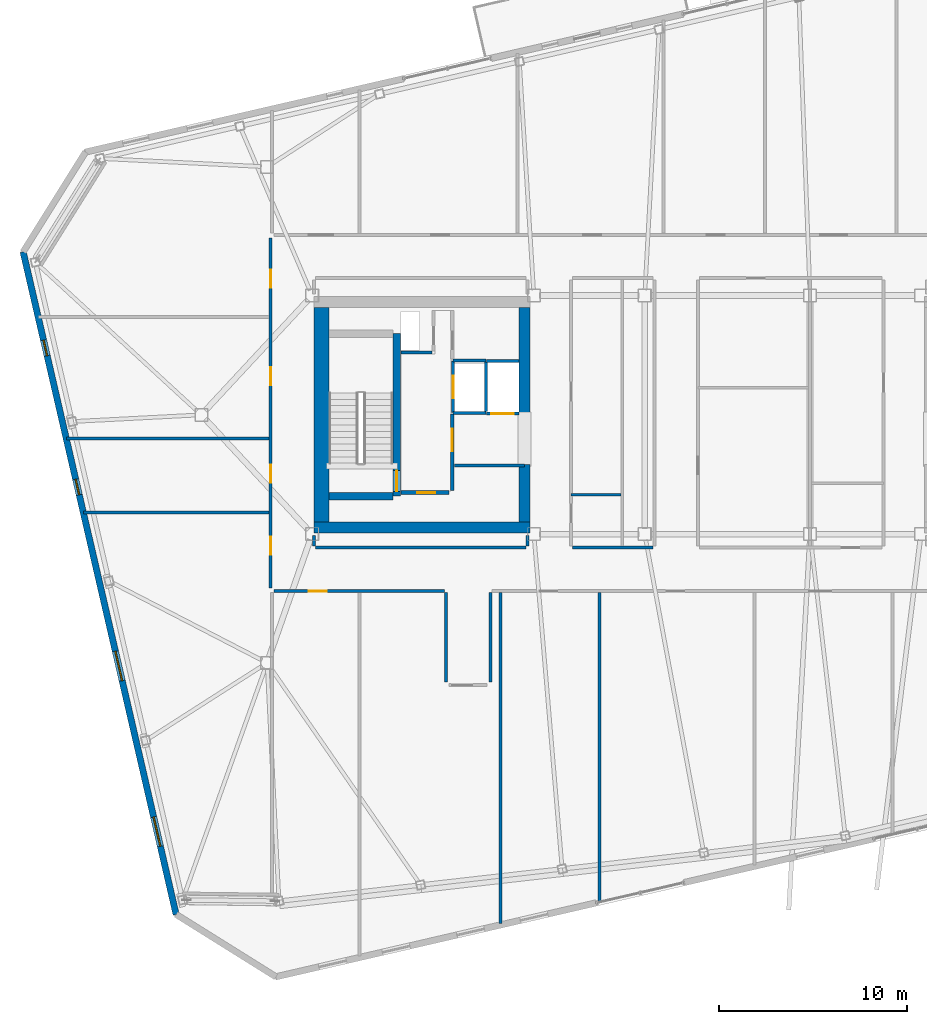
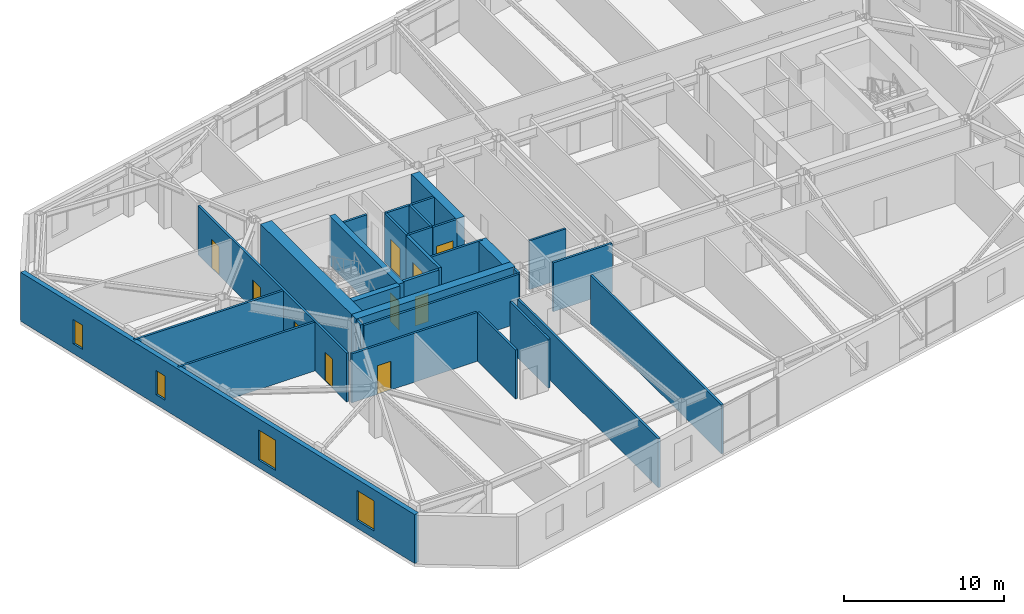
# One storey, part 16 of 24: 30 walls, 10 doors, 4 windows, 14 openings.
"""IFC4 building model written with IfcOpenShell, lengths in metres."""

from ifc_helpers import new_model, si_unit, direction, frame, frame_2d, origin, place, context, subcontext, project, spatial, rectangle, extrude, material, layer, layer_set, type_object, element, fill, save


model = new_model("IFC4")

# Units and contexts
model_context = context("Model", 3, precision=1e-05, world=origin(), true_north=direction((0.0, 1.0)))
body_context = subcontext(model_context, "Body", "Model", "MODEL_VIEW")
ifc_project = project(units=[si_unit("LENGTHUNIT", "METRE"), si_unit("AREAUNIT", "SQUARE_METRE"), si_unit("VOLUMEUNIT", "CUBIC_METRE"), si_unit("PLANEANGLEUNIT", "RADIAN"), si_unit("MASSUNIT", "GRAM", prefix="KILO")], contexts=[model_context])

# Site, building, storey
site_placement = place(None, origin())
site = spatial("IfcSite", under=ifc_project, at=site_placement, CompositionType="ELEMENT")
building_placement = place(site_placement, origin())
building = spatial("IfcBuilding", under=site, at=building_placement, Name="Tavrogorsk Clinical Tower", CompositionType="ELEMENT")
storey_placement = place(building_placement, frame((0.0, 0.0, 321.0)))
storey = spatial("IfcBuildingStorey", under=building, at=storey_placement, Name="L75", CompositionType="ELEMENT", Elevation=321.0)

# Wall, opening, door
ifc_material_1 = material(Name="Concrete B60", Category="concrete")
ifc_layer_1 = layer(ifc_material_1, 0.199951171875)
ifc_layer_set_1 = layer_set([ifc_layer_1], Name="Concrete B60")
wall_type_1 = type_object("IfcWallType", Name="CoreFireWall_200", PredefinedType="SOLIDWALL", material=ifc_layer_set_1)
wall_1_placement = place(storey_placement, frame((-17.3798828125, -4.139892578125, 0.0), z_axis=(0.0, 0.0, 1.0), x_axis=(1.0, 0.0, 0.0)))
wall_1 = element("IfcWall", 1, at=wall_1_placement, inside=storey, type_object=wall_type_1, Name="L75 Core West South Core Room Fire Wall", PredefinedType="SOLIDWALL", context=body_context, shape_type="SweptSolid", body=[
    extrude(rectangle(XDim=2.554931640625, YDim=0.199951171875, at=frame_2d((1.27734375, 0.0))), origin(), (0.0, 0.0, 1.0), 3.739990234375),
])
opening_1_placement = place(wall_1_placement, frame((0.8798828125, 0.0, 0.0)))
opening_1 = element("IfcOpeningElement", 2, at=opening_1_placement, cuts=wall_1, Name="Opening ID-02", PredefinedType="OPENING", context=body_context, shape_type="SweptSolid", body=[
    extrude(rectangle(XDim=0.949951171875, YDim=2.199951171875, at=frame_2d((0.47509765625, 1.10009765625))), frame((0.0, 0.10986328125, 0.0), z_axis=(0.0, -1.0, 0.0), x_axis=(1.0, 0.0, 0.0)), (0.0, 0.0, 1.0), 0.219970703125),
])
ifc_material_2 = material(Name="Laminated timber leaf on aluminium frame", Category="wood")
door_type_1 = type_object("IfcDoorType", Name="InteriorDoor_ID02_950", OperationType="NOTDEFINED", PredefinedType="DOOR", material=ifc_material_2)
door_1_placement = place(opening_1_placement, origin())
door_1 = element("IfcDoor", 3, at=door_1_placement, inside=storey, type_object=door_type_1, Name="L75 Core West South Core Room Door", OperationType="SINGLE_SWING_RIGHT", OverallHeight=2.199951171875, OverallWidth=0.949951171875, PredefinedType="DOOR", context=body_context, shape_type="SweptSolid", body=[
    extrude(rectangle(XDim=0.949951171875, YDim=2.199951171875, at=frame_2d((0.47509765625, 1.10009765625))), frame((0.0, 0.02490234375, 0.0), z_axis=(0.0, -1.0, 0.0), x_axis=(1.0, 0.0, 0.0)), (0.0, 0.0, 1.0), 0.050048828125),
])
fill(opening_1, door_1)

wall_2_placement = place(storey_placement, frame((-14.639892578125, -4.034912109375, 0.0), z_axis=(0.0, 0.0, 1.0), x_axis=(0.0, 1.0, 0.0)))
wall_2 = element("IfcWall", 4, at=wall_2_placement, inside=storey, type_object=wall_type_1, Name="L75 Core West Firefighting Lobby Fire Wall", PredefinedType="SOLIDWALL", context=body_context, shape_type="SweptSolid", body=[
    extrude(rectangle(XDim=4.074951171875, YDim=0.199951171875, at=frame_2d((2.03759765625, 0.0))), origin(), (0.0, 0.0, 1.0), 3.739990234375),
])
opening_2_placement = place(wall_2_placement, frame((2.090087890625, 0.0, 0.0)))
opening_2 = element("IfcOpeningElement", 5, at=opening_2_placement, cuts=wall_2, Name="Opening FD-01", PredefinedType="OPENING", context=body_context, shape_type="SweptSolid", body=[
    extrude(rectangle(XDim=1.199951171875, YDim=2.199951171875, at=frame_2d((0.60009765625, 1.10009765625))), frame((0.0, 0.10986328125, 0.0), z_axis=(0.0, -1.0, 0.0), x_axis=(1.0, 0.0, 0.0)), (0.0, 0.0, 1.0), 0.219970703125),
])
ifc_material_3 = material(Name="Galvanised steel fire-rated door assembly", Category="steel")
door_type_2 = type_object("IfcDoorType", Name="FireDoor_FD01_1200", OperationType="NOTDEFINED", PredefinedType="DOOR", material=ifc_material_3)
door_2_placement = place(opening_2_placement, origin())
door_2 = element("IfcDoor", 6, at=door_2_placement, inside=storey, type_object=door_type_2, Name="L75 Core West Firefighting Lobby Entry Door", OperationType="SINGLE_SWING_RIGHT", OverallHeight=2.199951171875, OverallWidth=1.199951171875, PredefinedType="DOOR", context=body_context, shape_type="SweptSolid", body=[
    extrude(rectangle(XDim=1.199951171875, YDim=2.199951171875, at=frame_2d((0.60009765625, 1.10009765625))), frame((0.0, 0.02490234375, 0.0), z_axis=(0.0, -1.0, 0.0), x_axis=(1.0, 0.0, 0.0)), (0.0, 0.0, 1.0), 0.050048828125),
])
fill(opening_2, door_2)

# Walls
ifc_material_4 = material(Name="Lightweight concrete blockwork B15", Category="masonry")
ifc_layer_2 = layer(ifc_material_4, 0.139892578125)
ifc_layer_set_2 = layer_set([ifc_layer_2], Name="Lightweight concrete blockwork B15")
wall_type_2 = type_object("IfcWallType", Name="PartitionWall_140", PredefinedType="PARTITIONING", material=ifc_layer_set_2)
wall_3_placement = place(storey_placement, frame((-8.31494140625, -4.25, 0.0), z_axis=(0.0, 0.0, 1.0), x_axis=(1.0, 0.0, 0.0)))
element("IfcWall", 7, at=wall_3_placement, inside=storey, type_object=wall_type_2, Name="L75 Central Spine Partition 4", PredefinedType="PARTITIONING", context=body_context, shape_type="SweptSolid", body=[
    extrude(rectangle(XDim=2.639892578125, YDim=0.139892578125, at=frame_2d((1.31982421875, 0.0))), origin(), (0.0, 0.0, 1.0), 3.739990234375),
])
ifc_material_5 = material(Name="Lightweight concrete blockwork B15", Category="masonry")
ifc_layer_3 = layer(ifc_material_5, 0.159912109375)
ifc_layer_set_3 = layer_set([ifc_layer_3], Name="Lightweight concrete blockwork B15")
wall_type_3 = type_object("IfcWallType", Name="PartitionWall_160", PredefinedType="PARTITIONING", material=ifc_layer_set_3)
wall_4_placement = place(storey_placement, frame((-14.534912109375, -2.699951171875, 0.0), z_axis=(0.0, 0.0, 1.0), x_axis=(1.0, 0.0, 0.0)))
element("IfcWall", 8, at=wall_4_placement, inside=storey, type_object=wall_type_3, Name="L75 Core West Freed Mid-Bank North Partition", PredefinedType="PARTITIONING", context=body_context, shape_type="SweptSolid", body=[
    extrude(rectangle(XDim=3.73486328125, YDim=0.159912109375, at=frame_2d((1.867431640625, 0.0))), origin(), (0.0, 0.0, 1.0), 3.739990234375),
])

# Wall, openings, doors
wall_5_placement = place(storey_placement, frame((-24.31005859375, -9.215087890625, 0.0), z_axis=(0.0, 0.0, 1.0), x_axis=(0.0, 1.0, 0.0)))
wall_5 = element("IfcWall", 9, at=wall_5_placement, inside=storey, type_object=wall_type_3, Name="L75 Corridor Partition 01", PredefinedType="PARTITIONING", context=body_context, shape_type="SweptSolid", body=[
    extrude(rectangle(XDim=18.630126953125, YDim=0.159912109375, at=frame_2d((9.31494140625, 0.0))), origin(), (0.0, 0.0, 1.0), 3.739990234375),
])
opening_3_placement = place(wall_5_placement, frame((1.76904296875, 0.0, 0.0)))
opening_3 = element("IfcOpeningElement", 10, at=opening_3_placement, cuts=wall_5, Name="Opening ID-02", PredefinedType="OPENING", context=body_context, shape_type="SweptSolid", body=[
    extrude(rectangle(XDim=0.949951171875, YDim=2.199951171875, at=frame_2d((0.47509765625, 1.10009765625))), frame((0.0, 0.08984375, 0.0), z_axis=(0.0, -1.0, 0.0), x_axis=(1.0, 0.0, 0.0)), (0.0, 0.0, 1.0), 0.179931640625),
])
opening_4_placement = place(wall_5_placement, frame((5.60009765625, 0.0, 0.0)))
opening_4 = element("IfcOpeningElement", 11, at=opening_4_placement, cuts=wall_5, Name="Opening ID-02", PredefinedType="OPENING", context=body_context, shape_type="SweptSolid", body=[
    extrude(rectangle(XDim=0.949951171875, YDim=2.199951171875, at=frame_2d((0.47509765625, 1.10009765625))), frame((0.0, 0.08984375, 0.0), z_axis=(0.0, -1.0, 0.0), x_axis=(1.0, 0.0, 0.0)), (0.0, 0.0, 1.0), 0.179931640625),
])
opening_5_placement = place(wall_5_placement, frame((10.800048828125, 0.0, 0.0)))
opening_5 = element("IfcOpeningElement", 12, at=opening_5_placement, cuts=wall_5, Name="Opening ID-02", PredefinedType="OPENING", context=body_context, shape_type="SweptSolid", body=[
    extrude(rectangle(XDim=0.949951171875, YDim=2.199951171875, at=frame_2d((0.47509765625, 1.10009765625))), frame((0.0, 0.08984375, 0.0), z_axis=(0.0, -1.0, 0.0), x_axis=(1.0, 0.0, 0.0)), (0.0, 0.0, 1.0), 0.179931640625),
])
opening_6_placement = place(wall_5_placement, frame((15.98095703125, 0.0, 0.0)))
opening_6 = element("IfcOpeningElement", 13, at=opening_6_placement, cuts=wall_5, Name="Opening ID-02", PredefinedType="OPENING", context=body_context, shape_type="SweptSolid", body=[
    extrude(rectangle(XDim=0.949951171875, YDim=2.199951171875, at=frame_2d((0.47509765625, 1.10009765625))), frame((0.0, 0.08984375, 0.0), z_axis=(0.0, -1.0, 0.0), x_axis=(1.0, 0.0, 0.0)), (0.0, 0.0, 1.0), 0.179931640625),
])
door_3_placement = place(opening_3_placement, origin())
door_3 = element("IfcDoor", 14, at=door_3_placement, inside=storey, type_object=door_type_1, Name="L75 W Solarium Day Room & Lounge 1 Door", OperationType="SINGLE_SWING_RIGHT", OverallHeight=2.199951171875, OverallWidth=0.949951171875, PredefinedType="DOOR", context=body_context, shape_type="SweptSolid", body=[
    extrude(rectangle(XDim=0.949951171875, YDim=2.199951171875, at=frame_2d((0.47509765625, 1.10009765625))), frame((0.0, 0.02490234375, 0.0), z_axis=(0.0, -1.0, 0.0), x_axis=(1.0, 0.0, 0.0)), (0.0, 0.0, 1.0), 0.050048828125),
])
fill(opening_3, door_3)
door_4_placement = place(opening_4_placement, origin())
door_4 = element("IfcDoor", 15, at=door_4_placement, inside=storey, type_object=door_type_1, Name="L75 W Rehabilitation Therapy Suite 2 Door", OperationType="SINGLE_SWING_LEFT", OverallHeight=2.199951171875, OverallWidth=0.949951171875, PredefinedType="DOOR", context=body_context, shape_type="SweptSolid", body=[
    extrude(rectangle(XDim=0.949951171875, YDim=2.199951171875, at=frame_2d((0.47509765625, 1.10009765625))), frame((0.0, 0.02490234375, 0.0), z_axis=(0.0, -1.0, 0.0), x_axis=(1.0, 0.0, 0.0)), (0.0, 0.0, 1.0), 0.050048828125),
])
fill(opening_4, door_4)
door_5_placement = place(opening_5_placement, origin())
door_5 = element("IfcDoor", 16, at=door_5_placement, inside=storey, type_object=door_type_1, Name="L75 W Sub-Acute Observation Suite 3 Door", OperationType="SINGLE_SWING_RIGHT", OverallHeight=2.199951171875, OverallWidth=0.949951171875, PredefinedType="DOOR", context=body_context, shape_type="SweptSolid", body=[
    extrude(rectangle(XDim=0.949951171875, YDim=2.199951171875, at=frame_2d((0.47509765625, 1.10009765625))), frame((0.0, 0.02490234375, 0.0), z_axis=(0.0, -1.0, 0.0), x_axis=(1.0, 0.0, 0.0)), (0.0, 0.0, 1.0), 0.050048828125),
])
fill(opening_5, door_5)
door_6_placement = place(opening_6_placement, origin())
door_6 = element("IfcDoor", 17, at=door_6_placement, inside=storey, type_object=door_type_1, Name="L75 W Family Consultation Lounge 4 Door", OperationType="SINGLE_SWING_LEFT", OverallHeight=2.199951171875, OverallWidth=0.949951171875, PredefinedType="DOOR", context=body_context, shape_type="SweptSolid", body=[
    extrude(rectangle(XDim=0.949951171875, YDim=2.199951171875, at=frame_2d((0.47509765625, 1.10009765625))), frame((0.0, 0.02490234375, 0.0), z_axis=(0.0, -1.0, 0.0), x_axis=(1.0, 0.0, 0.0)), (0.0, 0.0, 1.0), 0.050048828125),
])
fill(opening_6, door_6)

# Walls
for number, where, z_axis, x_axis, name in (
    (18, (-12.6201171875, -9.465087890625, 0.0), (0.0, 0.0, 1.0), (0.0, -1.0, 0.0), "L75 Corridor Partition 05"),
    (19, (-14.97998046875, -14.215087890625, 0.0), (0.0, 0.0, 1.0), (0.0, 1.0, 0.0), "L75 Corridor Partition 07"),
):
    element("IfcWall", number, at=place(storey_placement, frame(where, z_axis=z_axis, x_axis=x_axis)), inside=storey, type_object=wall_type_3, Name=name, PredefinedType="PARTITIONING", context=body_context, shape_type="SweptSolid", body=[
        extrude(rectangle(XDim=4.75, YDim=0.159912109375, at=frame_2d((2.375, 0.0))), origin(), (0.0, 0.0, 1.0), 3.739990234375),
    ])

# Wall, opening, door
wall_6_placement = place(storey_placement, frame((-15.06494140625, -9.3798828125, 0.0), z_axis=(0.0, 0.0, 1.0), x_axis=(-1.0, 0.0, 0.0)))
wall_6 = element("IfcWall", 20, at=wall_6_placement, inside=storey, type_object=wall_type_3, Name="L75 Corridor Partition 08", PredefinedType="PARTITIONING", context=body_context, shape_type="SweptSolid", body=[
    extrude(rectangle(XDim=9.080078125, YDim=0.159912109375, at=frame_2d((4.5400390625, 0.0))), origin(), (0.0, 0.0, 1.0), 3.739990234375),
])
opening_7_placement = place(wall_6_placement, frame((6.255859375, 0.0, 0.0)))
opening_7 = element("IfcOpeningElement", 21, at=opening_7_placement, cuts=wall_6, Name="Opening ID-02", PredefinedType="OPENING", context=body_context, shape_type="SweptSolid", body=[
    extrude(rectangle(XDim=0.949951171875, YDim=2.199951171875, at=frame_2d((0.47509765625, 1.10009765625))), frame((0.0, 0.08984375, 0.0), z_axis=(0.0, -1.0, 0.0), x_axis=(1.0, 0.0, 0.0)), (0.0, 0.0, 1.0), 0.179931640625),
])
door_7_placement = place(opening_7_placement, origin())
door_7 = element("IfcDoor", 22, at=door_7_placement, inside=storey, type_object=door_type_1, Name="L75 South Clean Medication & Prep Room 01 Door", OperationType="SINGLE_SWING_LEFT", OverallHeight=2.199951171875, OverallWidth=0.949951171875, PredefinedType="DOOR", context=body_context, shape_type="SweptSolid", body=[
    extrude(rectangle(XDim=0.949951171875, YDim=2.199951171875, at=frame_2d((0.47509765625, 1.10009765625))), frame((0.0, 0.02490234375, 0.0), z_axis=(0.0, -1.0, 0.0), x_axis=(1.0, 0.0, 0.0)), (0.0, 0.0, 1.0), 0.050048828125),
])
fill(opening_7, door_7)

# Walls
wall_7_placement = place(storey_placement, frame((-8.235107421875, -7.070068359375, 0.0), z_axis=(0.0, 0.0, 1.0), x_axis=(1.0, 0.0, 0.0)))
element("IfcWall", 23, at=wall_7_placement, inside=storey, type_object=wall_type_3, Name="L75 Corridor Partition 22", PredefinedType="PARTITIONING", context=body_context, shape_type="SweptSolid", body=[
    extrude(rectangle(XDim=4.27001953125, YDim=0.159912109375, at=frame_2d((2.135009765625, 0.0))), origin(), (0.0, 0.0, 1.0), 3.739990234375),
])
for number, where, z_axis, x_axis, name in (
    (24, (-10.6298828125, -6.985107421875, 0.0), (0.0, 0.0, 1.0), (0.0, 1.0, 0.0), "L75 Corridor Partition 23"),
    (25, (-22.0, -6.419921875, 0.0), (0.0, 0.0, 1.0), (0.0, -1.0, 0.0), "L75 Corridor Partition 27"),
):
    element("IfcWall", number, at=place(storey_placement, frame(where, z_axis=z_axis, x_axis=x_axis)), inside=storey, type_object=wall_type_3, Name=name, PredefinedType="PARTITIONING", context=body_context, shape_type="SweptSolid", body=[
        extrude(rectangle(XDim=0.565185546875, YDim=0.159912109375, at=frame_2d((0.28271484375, 0.0))), origin(), (0.0, 0.0, 1.0), 3.739990234375),
    ])
wall_8_placement = place(storey_placement, frame((-21.9150390625, -7.070068359375, 0.0), z_axis=(0.0, 0.0, 1.0), x_axis=(1.0, 0.0, 0.0)))
element("IfcWall", 26, at=wall_8_placement, inside=storey, type_object=wall_type_3, Name="L75 Corridor Partition 28", PredefinedType="PARTITIONING", context=body_context, shape_type="SweptSolid", body=[
    extrude(rectangle(XDim=11.199951171875, YDim=0.159912109375, at=frame_2d((5.60009765625, 0.0))), origin(), (0.0, 0.0, 1.0), 3.739990234375),
])
wall_9_placement = place(storey_placement, frame((-6.800048828125, -25.86669921875, 0.0), z_axis=(0.0, 0.0, 1.0), x_axis=(0.0, 1.0, 0.0)))
element("IfcWall", 27, at=wall_9_placement, inside=storey, type_object=wall_type_3, Name="L75 South Room Partition 2", PredefinedType="PARTITIONING", context=body_context, shape_type="SweptSolid", body=[
    extrude(rectangle(XDim=16.401611328125, YDim=0.159912109375, at=frame_2d((8.20068359375, 0.0))), origin(), (0.0, 0.0, 1.0), 3.739990234375),
])
wall_10_placement = place(storey_placement, frame((-12.070068359375, -27.083251953125, 0.0), z_axis=(0.0, 0.0, 1.0), x_axis=(0.0, 1.0, 0.0)))
element("IfcWall", 28, at=wall_10_placement, inside=storey, type_object=wall_type_3, Name="L75 South Sub-Partition 2", PredefinedType="PARTITIONING", context=body_context, shape_type="SweptSolid", body=[
    extrude(rectangle(XDim=17.6181640625, YDim=0.159912109375, at=frame_2d((8.80908203125, 0.0))), origin(), (0.0, 0.0, 1.0), 3.739990234375),
])
wall_11_placement = place(storey_placement, frame((-34.26171875, -5.199951171875, 0.0), z_axis=(0.0, 0.0, 1.0), x_axis=(1.0, 0.0, 0.0)))
element("IfcWall", 29, at=wall_11_placement, inside=storey, type_object=wall_type_3, Name="L75 W Wing Divider 1", PredefinedType="PARTITIONING", context=body_context, shape_type="SweptSolid", body=[
    extrude(rectangle(XDim=9.86669921875, YDim=0.159912109375, at=frame_2d((4.933349609375, 0.0))), origin(), (0.0, 0.0, 1.0), 3.739990234375),
])
wall_12_placement = place(storey_placement, frame((-35.173583984375, -1.25, 0.0), z_axis=(0.0, 0.0, 1.0), x_axis=(1.0, 0.0, 0.0)))
element("IfcWall", 30, at=wall_12_placement, inside=storey, type_object=wall_type_3, Name="L75 W Wing Divider 2", PredefinedType="PARTITIONING", context=body_context, shape_type="SweptSolid", body=[
    extrude(rectangle(XDim=10.778564453125, YDim=0.159912109375, at=frame_2d((5.38916015625, 0.0))), origin(), (0.0, 0.0, 1.0), 3.739990234375),
])

# Wall, openings, windows
ifc_material_6 = material(Name="Precast concrete B45 with limestone cladding", Category="masonry")
ifc_layer_4 = layer(ifc_material_6, 0.340087890625)
ifc_layer_set_4 = layer_set([ifc_layer_4], Name="Precast concrete B45 with limestone cladding")
wall_type_4 = type_object("IfcWallType", Name="PrecastLimestoneWall_340", PredefinedType="STANDARD", material=ifc_layer_set_4)
wall_13_placement = place(storey_placement, frame((-37.48583984375, 8.676025390625, 0.0), z_axis=(0.0, 0.0, 1.0), x_axis=(0.224953091034, -0.974369594576, 0.0)))
wall_13 = element("IfcWall", 31, at=wall_13_placement, inside=storey, type_object=wall_type_4, Name="L75 W Pleated Limestone Wing Wall", PredefinedType="STANDARD", context=body_context, shape_type="SweptSolid", body=[
    extrude(rectangle(XDim=36.199951171875, YDim=0.340087890625, at=frame_2d((18.10009765625, 0.0))), origin(), (0.0, 0.0, 1.0), 3.739990234375),
])
opening_8_placement = place(wall_13_placement, frame((4.824951171875, 0.0, 0.75)))
opening_8 = element("IfcOpeningElement", 32, at=opening_8_placement, cuts=wall_13, Name="Opening WN-06", PredefinedType="OPENING", context=body_context, shape_type="SweptSolid", body=[
    extrude(rectangle(XDim=0.85009765625, YDim=1.85009765625, at=frame_2d((0.425048828125, 0.925048828125))), frame((0.0, 0.179931640625, 0.0), z_axis=(0.0, -1.0, 0.0), x_axis=(1.0, 0.0, 0.0)), (0.0, 0.0, 1.0), 0.360107421875),
])
opening_9_placement = place(wall_13_placement, frame((12.425048828125, 0.0, 0.75)))
opening_9 = element("IfcOpeningElement", 33, at=opening_9_placement, cuts=wall_13, Name="Opening WN-06", PredefinedType="OPENING", context=body_context, shape_type="SweptSolid", body=[
    extrude(rectangle(XDim=0.85009765625, YDim=1.85009765625, at=frame_2d((0.425048828125, 0.925048828125))), frame((0.0, 0.179931640625, 0.0), z_axis=(0.0, -1.0, 0.0), x_axis=(1.0, 0.0, 0.0)), (0.0, 0.0, 1.0), 0.360107421875),
])
opening_10_placement = place(wall_13_placement, frame((21.824951171875, 0.0, 0.580078125)))
opening_10 = element("IfcOpeningElement", 34, at=opening_10_placement, cuts=wall_13, Name="Opening WN-07", PredefinedType="OPENING", context=body_context, shape_type="SweptSolid", body=[
    extrude(rectangle(XDim=1.60009765625, YDim=2.300048828125, at=frame_2d((0.800048828125, 1.14990234375))), frame((0.0, 0.179931640625, 0.0), z_axis=(0.0, -1.0, 0.0), x_axis=(1.0, 0.0, 0.0)), (0.0, 0.0, 1.0), 0.360107421875),
])
opening_11_placement = place(wall_13_placement, frame((30.875, 0.0, 0.580078125)))
opening_11 = element("IfcOpeningElement", 35, at=opening_11_placement, cuts=wall_13, Name="Opening WN-07", PredefinedType="OPENING", context=body_context, shape_type="SweptSolid", body=[
    extrude(rectangle(XDim=1.60009765625, YDim=2.300048828125, at=frame_2d((0.800048828125, 1.14990234375))), frame((0.0, 0.179931640625, 0.0), z_axis=(0.0, -1.0, 0.0), x_axis=(1.0, 0.0, 0.0)), (0.0, 0.0, 1.0), 0.360107421875),
])
ifc_material_7 = material(Name="Thermally broken aluminium frame and triple IGU", Category="aluminium")
window_type_1 = type_object("IfcWindowType", Name="MullionSubWin_850x1850", PartitioningType="SINGLE_PANEL", PredefinedType="WINDOW", material=ifc_material_7)
window_1_placement = place(opening_8_placement, origin())
window_1 = element("IfcWindow", 36, at=window_1_placement, inside=storey, type_object=window_type_1, Name="L75 W Pleat Mullion Window 1B", OverallHeight=1.85009765625, OverallWidth=0.85009765625, PartitioningType="SINGLE_PANEL", PredefinedType="WINDOW", context=body_context, shape_type="SweptSolid", body=[
    extrude(rectangle(XDim=0.85009765625, YDim=1.85009765625, at=frame_2d((0.425048828125, 0.925048828125))), frame((0.0, 0.030029296875, 0.0), z_axis=(0.0, -1.0, 0.0), x_axis=(1.0, 0.0, 0.0)), (0.0, 0.0, 1.0), 0.06005859375),
])
fill(opening_8, window_1)
window_2_placement = place(opening_9_placement, origin())
window_2 = element("IfcWindow", 37, at=window_2_placement, inside=storey, type_object=window_type_1, Name="L75 W Pleat Mullion Window 2A", OverallHeight=1.85009765625, OverallWidth=0.85009765625, PartitioningType="SINGLE_PANEL", PredefinedType="WINDOW", context=body_context, shape_type="SweptSolid", body=[
    extrude(rectangle(XDim=0.85009765625, YDim=1.85009765625, at=frame_2d((0.425048828125, 0.925048828125))), frame((0.0, 0.030029296875, 0.0), z_axis=(0.0, -1.0, 0.0), x_axis=(1.0, 0.0, 0.0)), (0.0, 0.0, 1.0), 0.06005859375),
])
fill(opening_9, window_2)
ifc_material_8 = material(Name="Thermally broken aluminium frame and triple IGU", Category="aluminium")
window_type_2 = type_object("IfcWindowType", Name="PleatSlotWin_1600x2300", PartitioningType="SINGLE_PANEL", PredefinedType="WINDOW", material=ifc_material_8)
window_3_placement = place(opening_10_placement, origin())
window_3 = element("IfcWindow", 38, at=window_3_placement, inside=storey, type_object=window_type_2, Name="L75 W Pleat Slot Window 3", OverallHeight=2.300048828125, OverallWidth=1.60009765625, PartitioningType="SINGLE_PANEL", PredefinedType="WINDOW", context=body_context, shape_type="SweptSolid", body=[
    extrude(rectangle(XDim=1.60009765625, YDim=2.300048828125, at=frame_2d((0.800048828125, 1.14990234375))), frame((0.0, 0.030029296875, 0.0), z_axis=(0.0, -1.0, 0.0), x_axis=(1.0, 0.0, 0.0)), (0.0, 0.0, 1.0), 0.06005859375),
])
fill(opening_10, window_3)
window_4_placement = place(opening_11_placement, origin())
window_4 = element("IfcWindow", 39, at=window_4_placement, inside=storey, type_object=window_type_2, Name="L75 W Pleat Slot Window 4", OverallHeight=2.300048828125, OverallWidth=1.60009765625, PartitioningType="SINGLE_PANEL", PredefinedType="WINDOW", context=body_context, shape_type="SweptSolid", body=[
    extrude(rectangle(XDim=1.60009765625, YDim=2.300048828125, at=frame_2d((0.800048828125, 1.14990234375))), frame((0.0, 0.030029296875, 0.0), z_axis=(0.0, -1.0, 0.0), x_axis=(1.0, 0.0, 0.0)), (0.0, 0.0, 1.0), 0.06005859375),
])
fill(opening_11, window_4)

# Wall, opening, door
ifc_material_9 = material(Name="Lightweight concrete blockwork B25", Category="masonry")
ifc_layer_5 = layer(ifc_material_9, 0.159912109375)
ifc_layer_set_5 = layer_set([ifc_layer_5], Name="Lightweight concrete blockwork B25")
wall_type_5 = type_object("IfcWallType", Name="ShaftWall_160", PredefinedType="PARTITIONING", material=ifc_layer_set_5)
wall_14_placement = place(storey_placement, frame((-14.60009765625, 0.1201171875, 0.0), z_axis=(0.0, 0.0, 1.0), x_axis=(0.0, 1.0, 0.0)))
wall_14 = element("IfcWall", 40, at=wall_14_placement, inside=storey, type_object=wall_type_5, Name="L75 FFL-W Firefighting Lift Front Wall", PredefinedType="PARTITIONING", context=body_context, shape_type="SweptSolid", body=[
    extrude(rectangle(XDim=2.739990234375, YDim=0.159912109375, at=frame_2d((1.3701171875, 0.0))), origin(), (0.0, 0.0, 1.0), 3.739990234375),
])
opening_12_placement = place(wall_14_placement, frame((0.77001953125, 0.0, 0.0)))
opening_12 = element("IfcOpeningElement", 41, at=opening_12_placement, cuts=wall_14, Name="Opening LD", PredefinedType="OPENING", context=body_context, shape_type="SweptSolid", body=[
    extrude(rectangle(XDim=1.199951171875, YDim=2.199951171875, at=frame_2d((0.60009765625, 1.10009765625))), frame((0.0, 0.08984375, 0.0), z_axis=(0.0, -1.0, 0.0), x_axis=(1.0, 0.0, 0.0)), (0.0, 0.0, 1.0), 0.179931640625),
])
ifc_material_10 = material(Name="Brushed stainless steel AISI 304 sliding doors", Category="steel")
door_type_3 = type_object("IfcDoorType", Name="LiftLandingDoor_LD_1200", OperationType="SLIDING_TO_LEFT", PredefinedType="DOOR", material=ifc_material_10)
door_8_placement = place(opening_12_placement, origin())
door_8 = element("IfcDoor", 42, at=door_8_placement, inside=storey, type_object=door_type_3, Name="L75 FFL-W Sliding Lift Landing Door", OperationType="SLIDING_TO_LEFT", OverallHeight=2.199951171875, OverallWidth=1.199951171875, PredefinedType="DOOR", context=body_context, shape_type="SweptSolid", body=[
    extrude(rectangle(XDim=1.199951171875, YDim=2.199951171875, at=frame_2d((0.60009765625, 1.10009765625))), frame((0.0, 0.02490234375, 0.0), z_axis=(0.0, -1.0, 0.0), x_axis=(1.0, 0.0, 0.0)), (0.0, 0.0, 1.0), 0.050048828125),
])
fill(opening_12, door_8)

# Walls
for number, where, z_axis, x_axis, name in (
    (43, (-14.60009765625, 0.10009765625, 0.0), (0.0, 0.0, 1.0), (1.0, 0.0, 0.0), "L75 FFL-W Shaft South Wall"),
    (44, (-14.60009765625, 2.8798828125, 0.0), (0.0, 0.0, 1.0), (1.0, 0.0, 0.0), "L75 FFL-W Shaft North Wall"),
):
    element("IfcWall", number, at=place(storey_placement, frame(where, z_axis=z_axis, x_axis=x_axis)), inside=storey, type_object=wall_type_5, Name=name, PredefinedType="PARTITIONING", context=body_context, shape_type="SweptSolid", body=[
        extrude(rectangle(XDim=1.760009765625, YDim=0.159912109375, at=frame_2d((0.8798828125, 0.0))), origin(), (0.0, 0.0, 1.0), 3.739990234375),
    ])
wall_15_placement = place(storey_placement, frame((-12.840087890625, 0.179931640625, 0.0), z_axis=(0.0, 0.0, 1.0), x_axis=(0.0, 1.0, 0.0)))
element("IfcWall", 45, at=wall_15_placement, inside=storey, type_object=wall_type_5, Name="L75 FFL-W Shaft Back Wall", PredefinedType="PARTITIONING", context=body_context, shape_type="SweptSolid", body=[
    extrude(rectangle(XDim=2.6201171875, YDim=0.159912109375, at=frame_2d((1.31005859375, 0.0))), origin(), (0.0, 0.0, 1.0), 3.739990234375),
])

# Wall, opening, door
wall_16_placement = place(storey_placement, frame((-12.820068359375, 0.06005859375, 0.0), z_axis=(0.0, 0.0, 1.0), x_axis=(1.0, 0.0, 0.0)))
wall_16 = element("IfcWall", 46, at=wall_16_placement, inside=storey, type_object=wall_type_5, Name="L75 LP-H1 High-Zone Lift Portal Wall", PredefinedType="PARTITIONING", context=body_context, shape_type="SweptSolid", body=[
    extrude(rectangle(XDim=1.719970703125, YDim=0.159912109375, at=frame_2d((0.85986328125, 0.0))), origin(), (0.0, 0.0, 1.0), 3.739990234375),
])
opening_13_placement = place(wall_16_placement, frame((0.260009765625, 0.0, 0.0)))
opening_13 = element("IfcOpeningElement", 47, at=opening_13_placement, cuts=wall_16, Name="Opening LD", PredefinedType="OPENING", context=body_context, shape_type="SweptSolid", body=[
    extrude(rectangle(XDim=1.199951171875, YDim=2.199951171875, at=frame_2d((0.60009765625, 1.10009765625))), frame((0.0, 0.08984375, 0.0), z_axis=(0.0, -1.0, 0.0), x_axis=(1.0, 0.0, 0.0)), (0.0, 0.0, 1.0), 0.179931640625),
])
door_9_placement = place(opening_13_placement, origin())
door_9 = element("IfcDoor", 48, at=door_9_placement, inside=storey, type_object=door_type_3, Name="L75 LP-H1 Sliding Lift Landing Door", OperationType="SLIDING_TO_LEFT", OverallHeight=2.199951171875, OverallWidth=1.199951171875, PredefinedType="DOOR", context=body_context, shape_type="SweptSolid", body=[
    extrude(rectangle(XDim=1.199951171875, YDim=2.199951171875, at=frame_2d((0.60009765625, 1.10009765625))), frame((0.0, 0.02490234375, 0.0), z_axis=(0.0, -1.0, 0.0), x_axis=(1.0, 0.0, 0.0)), (0.0, 0.0, 1.0), 0.050048828125),
])
fill(opening_13, door_9)

# Walls
wall_17_placement = place(storey_placement, frame((-12.820068359375, 2.860107421875, 0.0), z_axis=(0.0, 0.0, 1.0), x_axis=(1.0, 0.0, 0.0)))
element("IfcWall", 49, at=wall_17_placement, inside=storey, type_object=wall_type_5, Name="L75 LP-H1 High-Zone Lift Rear Wall", PredefinedType="PARTITIONING", context=body_context, shape_type="SweptSolid", body=[
    extrude(rectangle(XDim=1.719970703125, YDim=0.159912109375, at=frame_2d((0.85986328125, 0.0))), origin(), (0.0, 0.0, 1.0), 3.739990234375),
])
wall_18_placement = place(storey_placement, frame((-17.3798828125, 3.320068359375, 0.0), z_axis=(0.0, 0.0, 1.0), x_axis=(1.0, 0.0, 0.0)))
element("IfcWall", 50, at=wall_18_placement, inside=storey, type_object=wall_type_5, Name="L75 Core West Riser South Wall", PredefinedType="PARTITIONING", context=body_context, shape_type="SweptSolid", body=[
    extrude(rectangle(XDim=1.65478515625, YDim=0.159912109375, at=frame_2d((0.827392578125, 0.0))), origin(), (0.0, 0.0, 1.0), 3.739990234375),
])

# Wall, opening, door
ifc_material_11 = material(Name="Concrete B80", Category="concrete")
ifc_layer_6 = layer(ifc_material_11, 0.39990234375)
ifc_layer_set_6 = layer_set([ifc_layer_6], Name="Concrete B80")
wall_type_6 = type_object("IfcWallType", Name="ShearWall_400", PredefinedType="SHEAR", material=ifc_layer_set_6)
wall_19_placement = place(storey_placement, frame((-17.60009765625, -4.324951171875, 0.0), z_axis=(0.0, 0.0, 1.0), x_axis=(0.0, 1.0, 0.0)))
wall_19 = element("IfcWall", 51, at=wall_19_placement, inside=storey, type_object=wall_type_6, Name="L75 Core West Stair Shaft Inner Shear Wall", PredefinedType="SHEAR", context=body_context, shape_type="SweptSolid", body=[
    extrude(rectangle(XDim=8.64990234375, YDim=0.39990234375, at=frame_2d((4.324951171875, 0.0))), origin(), (0.0, 0.0, 1.0), 3.739990234375),
])
opening_14_placement = place(wall_19_placement, frame((0.25, 0.0, 0.0)))
opening_14 = element("IfcOpeningElement", 52, at=opening_14_placement, cuts=wall_19, Name="Opening SD-01", PredefinedType="OPENING", context=body_context, shape_type="SweptSolid", body=[
    extrude(rectangle(XDim=1.10009765625, YDim=2.199951171875, at=frame_2d((0.550048828125, 1.10009765625))), frame((0.0, 0.2099609375, 0.0), z_axis=(0.0, -1.0, 0.0), x_axis=(1.0, 0.0, 0.0)), (0.0, 0.0, 1.0), 0.419921875),
])
ifc_material_12 = material(Name="Galvanised steel smoke-tight fire door assembly", Category="steel")
door_type_4 = type_object("IfcDoorType", Name="StairFireDoor_SD01_1100", OperationType="NOTDEFINED", PredefinedType="DOOR", material=ifc_material_12)
door_10_placement = place(opening_14_placement, origin())
door_10 = element("IfcDoor", 53, at=door_10_placement, inside=storey, type_object=door_type_4, Name="L75 ST-W Exit Stair Door", OperationType="SINGLE_SWING_RIGHT", OverallHeight=2.199951171875, OverallWidth=1.10009765625, PredefinedType="DOOR", context=body_context, shape_type="SweptSolid", body=[
    extrude(rectangle(XDim=1.10009765625, YDim=2.199951171875, at=frame_2d((0.550048828125, 1.10009765625))), frame((0.0, 0.02490234375, 0.0), z_axis=(0.0, -1.0, 0.0), x_axis=(1.0, 0.0, 0.0)), (0.0, 0.0, 1.0), 0.050048828125),
])
fill(opening_14, door_10)

# Walls
wall_20_placement = place(storey_placement, frame((-21.199951171875, -4.324951171875, 0.0), z_axis=(0.0, 0.0, 1.0), x_axis=(1.0, 0.0, 0.0)))
element("IfcWall", 54, at=wall_20_placement, inside=storey, type_object=wall_type_6, Name="L75 Core West Stair Shaft South Shear Wall", PredefinedType="SHEAR", context=body_context, shape_type="SweptSolid", body=[
    extrude(rectangle(XDim=3.39990234375, YDim=0.39990234375, at=frame_2d((1.699951171875, 0.0))), origin(), (0.0, 0.0, 1.0), 3.739990234375),
])
ifc_material_13 = material(Name="Concrete B80", Category="concrete")
ifc_layer_7 = layer(ifc_material_13, 0.60009765625)
ifc_layer_set_7 = layer_set([ifc_layer_7], Name="Concrete B80")
wall_type_7 = type_object("IfcWallType", Name="ShearWall_600", PredefinedType="SHEAR", material=ifc_layer_set_7)
wall_21_placement = place(storey_placement, frame((-22.0, -6.0, 0.0), z_axis=(0.0, 0.0, 1.0), x_axis=(1.0, 0.0, 0.0)))
element("IfcWall", 55, at=wall_21_placement, inside=storey, type_object=wall_type_7, Name="L75 Core West South Shear Wall", PredefinedType="SHEAR", context=body_context, shape_type="SweptSolid", body=[
    extrude(rectangle(XDim=11.5, YDim=0.60009765625, at=frame_2d((5.75, 0.0))), origin(), (0.0, 0.0, 1.0), 3.739990234375),
])
wall_22_placement = place(storey_placement, frame((-10.800048828125, -5.699951171875, 0.0), z_axis=(0.0, 0.0, 1.0), x_axis=(0.0, 1.0, 0.0)))
element("IfcWall", 56, at=wall_22_placement, inside=storey, type_object=wall_type_7, Name="L75 Core West Inner South Pier", PredefinedType="SHEAR", context=body_context, shape_type="SweptSolid", body=[
    extrude(rectangle(XDim=3.050048828125, YDim=0.60009765625, at=frame_2d((1.52490234375, 0.0))), origin(), (0.0, 0.0, 1.0), 3.739990234375),
])
wall_23_placement = place(storey_placement, frame((-10.800048828125, 0.050048828125, 0.0), z_axis=(0.0, 0.0, 1.0), x_axis=(0.0, 1.0, 0.0)))
element("IfcWall", 57, at=wall_23_placement, inside=storey, type_object=wall_type_7, Name="L75 Core West Inner North Pier", PredefinedType="SHEAR", context=body_context, shape_type="SweptSolid", body=[
    extrude(rectangle(XDim=5.64990234375, YDim=0.60009765625, at=frame_2d((2.824951171875, 0.0))), origin(), (0.0, 0.0, 1.0), 3.739990234375),
])
ifc_material_14 = material(Name="Concrete B80", Category="concrete")
ifc_layer_8 = layer(ifc_material_14, 0.800048828125)
ifc_layer_set_8 = layer_set([ifc_layer_8], Name="Concrete B80")
wall_type_8 = type_object("IfcWallType", Name="ShearWall_800", PredefinedType="SHEAR", material=ifc_layer_set_8)
wall_24_placement = place(storey_placement, frame((-21.60009765625, -5.699951171875, 0.0), z_axis=(0.0, 0.0, 1.0), x_axis=(0.0, 1.0, 0.0)))
element("IfcWall", 58, at=wall_24_placement, inside=storey, type_object=wall_type_8, Name="L75 Core West End Shear Wall", PredefinedType="SHEAR", context=body_context, shape_type="SweptSolid", body=[
    extrude(rectangle(XDim=11.39990234375, YDim=0.800048828125, at=frame_2d((5.699951171875, 0.0))), origin(), (0.0, 0.0, 1.0), 3.739990234375),
])

save(model, "model.ifc")
